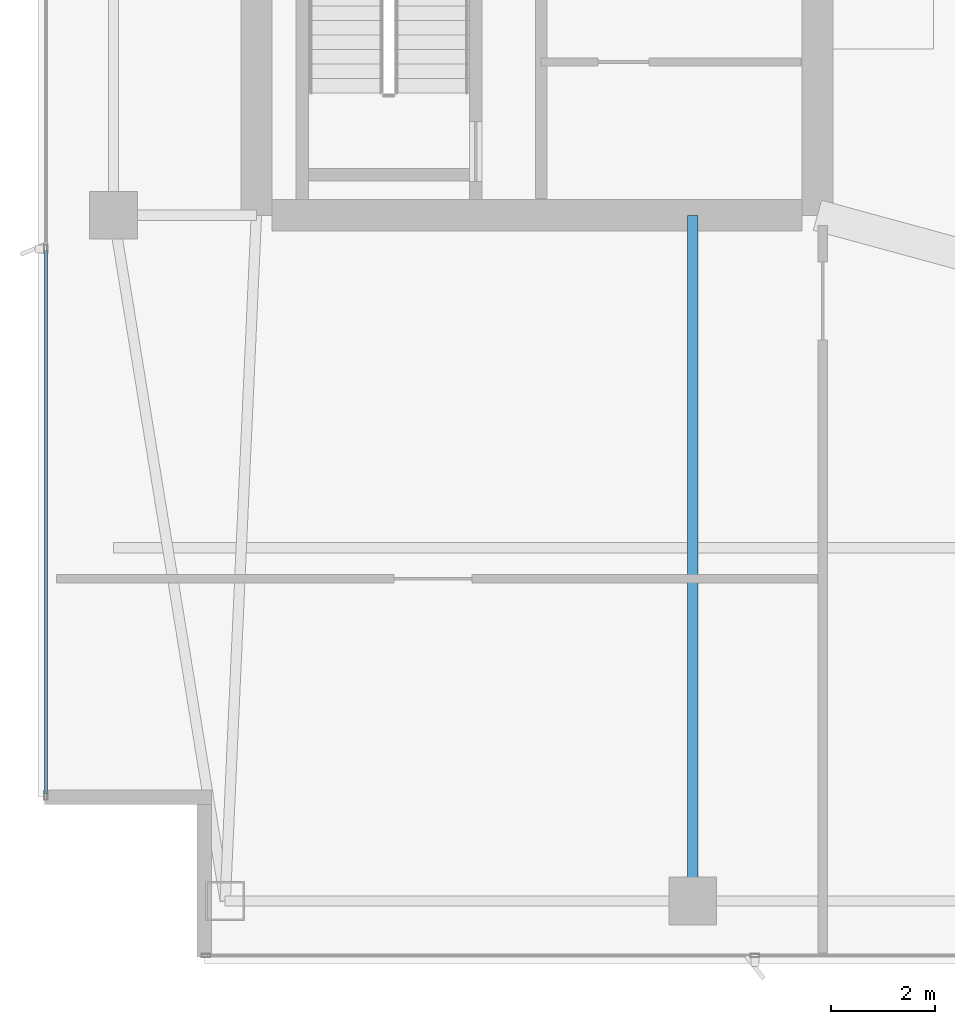
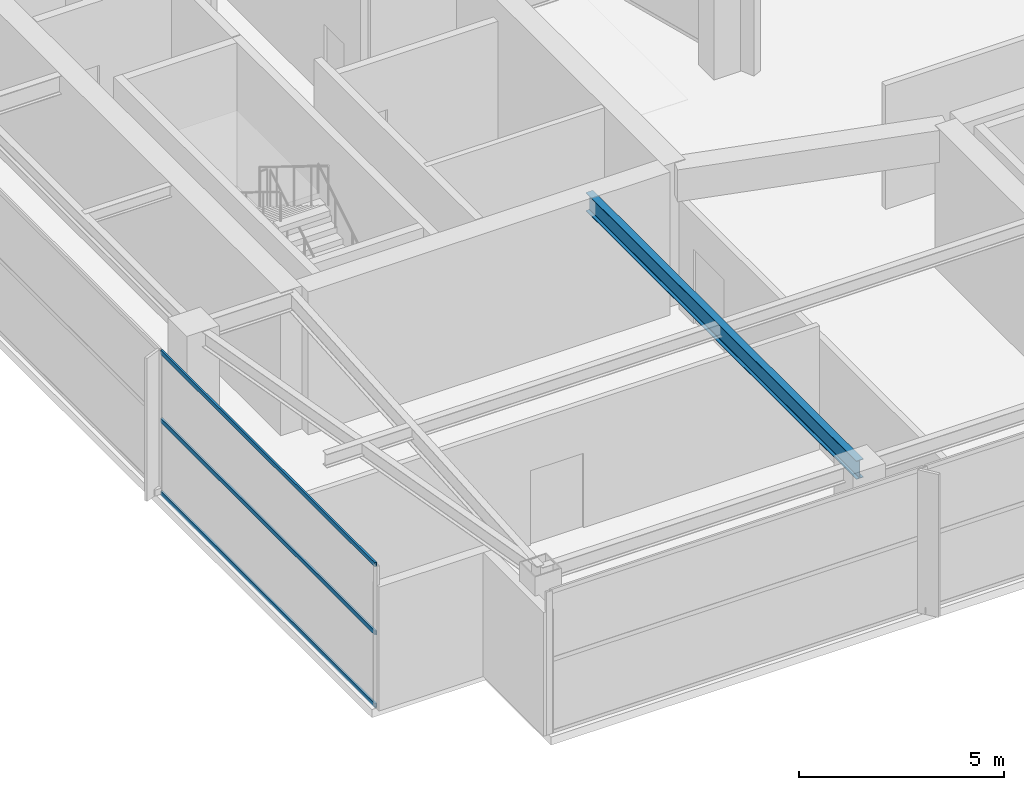
# One storey, part 4 of 25: 3 members, 1 beam, 1 element without a shape of its own.
"""IFC4 building model written with IfcOpenShell, lengths in metres."""

from ifc_helpers import new_model, si_unit, direction, frame, origin, origin_2d, place, context, subcontext, project, spatial, hollow_rectangle, i_section, extrude, material, layer, layer_set, material_profile, profile_set, type_object, element, aggregate, save


model = new_model("IFC4")

# Units and contexts
model_context = context("Model", 3, precision=1e-05, world=origin(), true_north=direction((0.0, 1.0)))
body_context = subcontext(model_context, "Body", "Model", "MODEL_VIEW")
ifc_project = project(units=[si_unit("LENGTHUNIT", "METRE"), si_unit("AREAUNIT", "SQUARE_METRE"), si_unit("VOLUMEUNIT", "CUBIC_METRE"), si_unit("PLANEANGLEUNIT", "RADIAN"), si_unit("MASSUNIT", "GRAM", prefix="KILO")], contexts=[model_context])

# Site, building, storey
site_placement = place(None, origin())
site = spatial("IfcSite", under=ifc_project, at=site_placement, CompositionType="ELEMENT")
building_placement = place(site_placement, origin())
building = spatial("IfcBuilding", under=site, at=building_placement, Name="Calvorn Quay Hotel", CompositionType="ELEMENT")
storey_placement = place(building_placement, frame((0.0, 0.0, 311.5)))
storey = spatial("IfcBuildingStorey", under=building, at=storey_placement, Name="L77", CompositionType="ELEMENT", Elevation=311.5)

# Beam
ifc_material_1 = material(Name="Steel Q355B", Category="steel")
ifc_material_profile_1 = material_profile(ifc_material_1, i_section(OverallWidth=0.199951171875, OverallDepth=0.550048828125, WebThickness=0.010009765625, FlangeThickness=0.01611328125, FilletRadius=0.01806640625, at=origin_2d()), Name="HN550x200x10x16")
ifc_profile_set_1 = profile_set([ifc_material_profile_1], Name="Steel Q355B")
beam_type = type_object("IfcBeamType", Name="BM-GIRD-UPP", PredefinedType="BEAM", material=ifc_profile_set_1)
beam_placement = place(storey_placement, frame((12.60009765625, 3.60009765625, 3.965087890625), z_axis=(0.0, 1.0, 0.0), x_axis=(-1.0, 0.0, 0.0)))
element("IfcBeam", 1, at=beam_placement, inside=storey, type_object=beam_type, Name="Beam BG-L77-S1", PredefinedType="BEAM", context=body_context, shape_type="SweptSolid", body=[
    extrude(i_section(OverallWidth=0.199951171875, OverallDepth=0.550048828125, WebThickness=0.010009765625, FlangeThickness=0.01611328125, FilletRadius=0.01806640625, at=origin_2d()), origin(), (0.0, 0.0, 1.0), 13.199951171875),
])

# Curtain wall, members
ifc_material_2 = material(Name="Champagne Bronze Anodised Aluminium and Low-E Glass", Category="aluminium")
ifc_layer = layer(ifc_material_2, 0.219970703125)
ifc_layer_set = layer_set([ifc_layer], Name="CW-SYS-Z4")
curtain_wall_type = type_object("IfcCurtainWallType", Name="CW-SYS-Z4", PredefinedType="NOTDEFINED", material=ifc_layer_set)
curtain_wall_placement = place(storey_placement, origin())
curtain_wall = element("IfcCurtainWall", 2, at=curtain_wall_placement, inside=storey, type_object=curtain_wall_type, Name="Tower West Curtain Wall (L77)", PredefinedType="NOTDEFINED")
ifc_material_3 = material(Name="Champagne Bronze Anodised Aluminium 6063-T6", Category="aluminium")
ifc_material_profile_2 = material_profile(ifc_material_3, hollow_rectangle(XDim=0.054931640625, YDim=0.1298828125, WallThickness=0.003173828125, at=origin_2d()), Name="ALU-T130x55x3.2")
ifc_profile_set_2 = profile_set([ifc_material_profile_2], Name="Champagne Bronze Anodised Aluminium 6063-T6")
member_type = type_object("IfcMemberType", Name="CW-SYS-Z4-TRN", PredefinedType="USERDEFINED", material=ifc_profile_set_2)
member_1_placement = place(storey_placement, frame((0.14990234375, 5.659912109375, 0.030029296875), z_axis=(0.0, 1.0, 0.0), x_axis=(-1.0, 0.0, 0.0)))
member_1 = element("IfcMember", 3, at=member_1_placement, type_object=member_type, Name="CW-L77-W transom 1.1", ObjectType="TRANSOM", PredefinedType="USERDEFINED", context=body_context, shape_type="SweptSolid", body=[
    extrude(hollow_rectangle(XDim=0.054931640625, YDim=0.1298828125, WallThickness=0.003173828125, at=origin_2d()), origin(), (0.0, 0.0, 1.0), 10.460205078125),
])
member_2_placement = place(storey_placement, frame((0.14990234375, 5.659912109375, 2.199951171875), z_axis=(0.0, 1.0, 0.0), x_axis=(-1.0, 0.0, 0.0)))
member_2 = element("IfcMember", 4, at=member_2_placement, type_object=member_type, Name="CW-L77-W transom 1.2", ObjectType="TRANSOM", PredefinedType="USERDEFINED", context=body_context, shape_type="SweptSolid", body=[
    extrude(hollow_rectangle(XDim=0.054931640625, YDim=0.1298828125, WallThickness=0.003173828125, at=origin_2d()), origin(), (0.0, 0.0, 1.0), 10.460205078125),
])
member_3_placement = place(storey_placement, frame((0.14990234375, 5.659912109375, 4.22998046875), z_axis=(0.0, 1.0, 0.0), x_axis=(-1.0, 0.0, 0.0)))
member_3 = element("IfcMember", 5, at=member_3_placement, type_object=member_type, Name="CW-L77-W transom 1.3", ObjectType="TRANSOM", PredefinedType="USERDEFINED", context=body_context, shape_type="SweptSolid", body=[
    extrude(hollow_rectangle(XDim=0.054931640625, YDim=0.1298828125, WallThickness=0.003173828125, at=origin_2d()), origin(), (0.0, 0.0, 1.0), 10.460205078125),
])
aggregate(curtain_wall, [member_1, member_2, member_3])

save(model, "model.ifc")
